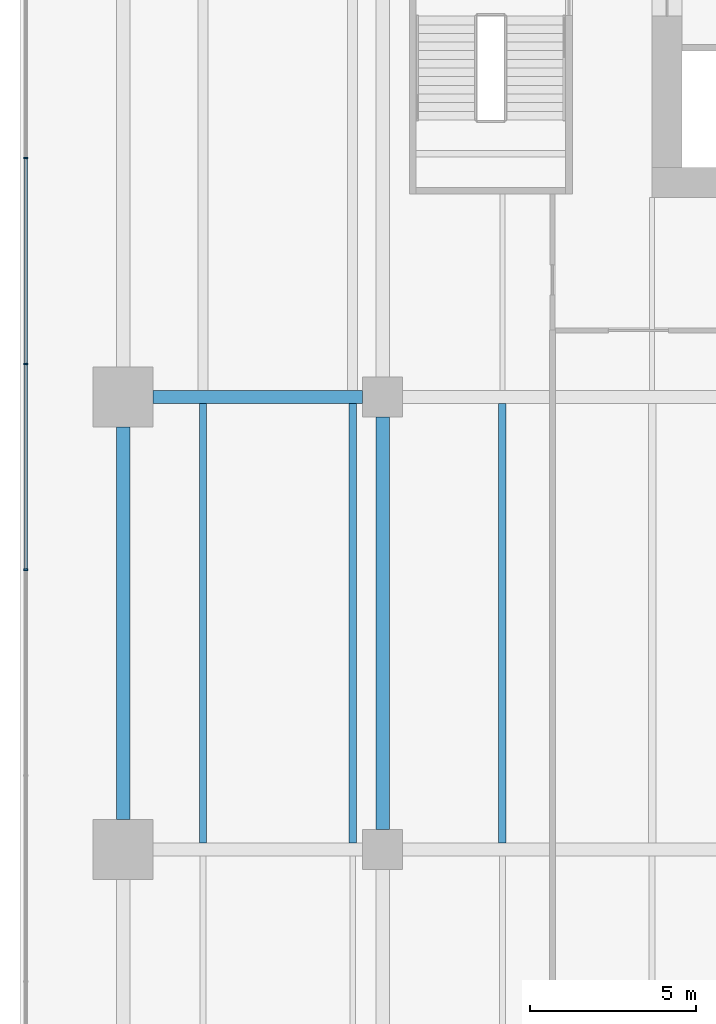
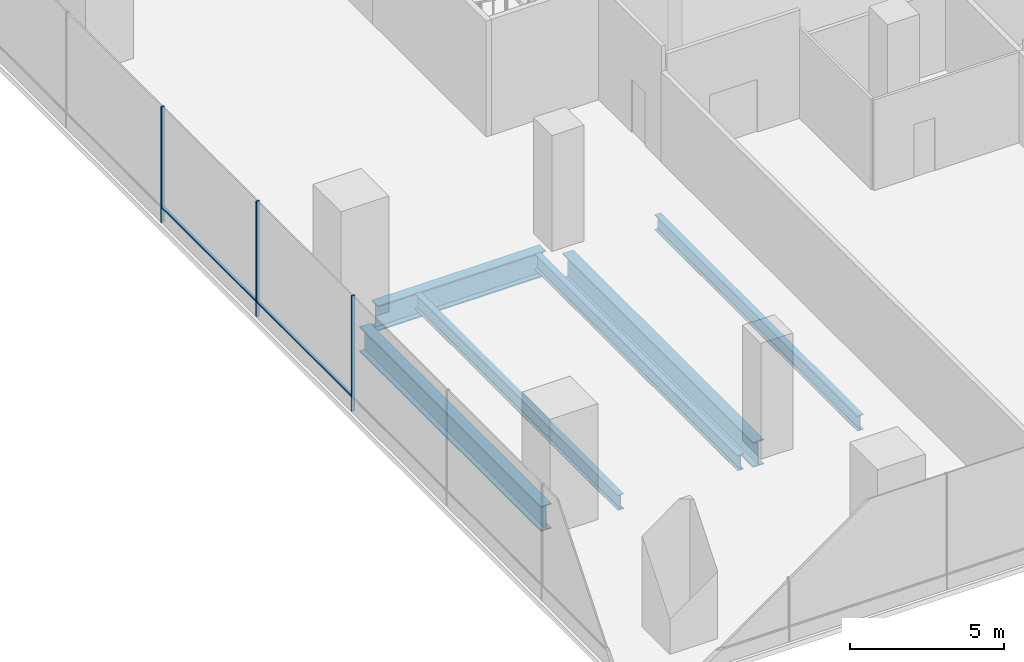
# One storey, part 4 of 29: 6 beams, 5 members, 1 element without a shape of its own.
"""IFC4 building model written with IfcOpenShell, lengths in metres."""

from ifc_helpers import new_model, si_unit, direction, frame, origin, origin_2d, place, context, subcontext, project, spatial, rectangle, i_section, extrude, material, layer, layer_set, material_profile, profile_set, type_object, element, aggregate, save


model = new_model("IFC4")

# Units and contexts
model_context = context("Model", 3, precision=1e-05, world=origin(), true_north=direction((0.0, 1.0)))
body_context = subcontext(model_context, "Body", "Model", "MODEL_VIEW")
ifc_project = project(units=[si_unit("LENGTHUNIT", "METRE"), si_unit("AREAUNIT", "SQUARE_METRE"), si_unit("VOLUMEUNIT", "CUBIC_METRE"), si_unit("PLANEANGLEUNIT", "RADIAN"), si_unit("MASSUNIT", "GRAM", prefix="KILO")], contexts=[model_context])

# Site, building, storey
site_placement = place(None, origin())
site = spatial("IfcSite", under=ifc_project, at=site_placement, CompositionType="ELEMENT")
building_placement = place(site_placement, origin())
building = spatial("IfcBuilding", under=site, at=building_placement, Name="Rattan Terrace Tower", CompositionType="ELEMENT")
storey_placement = place(building_placement, frame((0.0, 0.0, 12.60009765625)))
storey = spatial("IfcBuildingStorey", under=building, at=storey_placement, Name="L02", CompositionType="ELEMENT", Elevation=12.60009765625)

# Beams
ifc_material_1 = material(Name="Steel S355", Category="steel")
ifc_material_profile_1 = material_profile(ifc_material_1, i_section(OverallWidth=0.22412109375, OverallDepth=0.610107421875, WebThickness=0.014892578125, FlangeThickness=0.02392578125, FilletRadius=0.02392578125, at=origin_2d()), Name="IPE O 600")
ifc_profile_set_1 = profile_set([ifc_material_profile_1], Name="Steel S355")
beam_type_1 = type_object("IfcBeamType", Name="Frame floor beam IPE O 600", PredefinedType="JOIST", material=ifc_profile_set_1)
for number, where, z_axis, x_axis, name in (
    (1, (-31.5, -26.89990234375, -0.505126953125), (0.0, 1.0, 0.0), (-1.0, 0.0, 0.0), "bm-L02-015"),
    (2, (-27.0, -26.89990234375, -0.505126953125), (0.0, 1.0, 0.0), (-1.0, 0.0, 0.0), "bm-L02-016"),
    (3, (-22.5, -26.89990234375, -0.505126953125), (0.0, 1.0, 0.0), (-1.0, 0.0, 0.0), "bm-L02-017"),
):
    element("IfcBeam", number, at=place(storey_placement, frame(where, z_axis=z_axis, x_axis=x_axis)), inside=storey, type_object=beam_type_1, Name=name, PredefinedType="JOIST", context=body_context, shape_type="SweptSolid", body=[
        extrude(i_section(OverallWidth=0.22412109375, OverallDepth=0.610107421875, WebThickness=0.014892578125, FlangeThickness=0.02392578125, FilletRadius=0.02392578125, at=origin_2d()), origin(), (0.0, 0.0, 1.0), 13.199951171875),
    ])
ifc_material_2 = material(Name="Steel S460", Category="steel")
ifc_material_profile_2 = material_profile(ifc_material_2, i_section(OverallWidth=0.39990234375, OverallDepth=1.0, WebThickness=0.01806640625, FlangeThickness=0.044921875, at=origin_2d()), Name="PG 1000x400-18-45")
ifc_profile_set_2 = profile_set([ifc_material_profile_2], Name="Steel S460")
beam_type_2 = type_object("IfcBeamType", Name="Frame podium girder PG 1000x400-18-45", PredefinedType="USERDEFINED", material=ifc_profile_set_2)
beam_1_placement = place(storey_placement, frame((-26.10009765625, -26.5, -0.7001953125), z_axis=(0.0, 1.0, 0.0), x_axis=(-1.0, 0.0, 0.0)))
element("IfcBeam", 4, at=beam_1_placement, inside=storey, type_object=beam_type_2, Name="gdr-L02-020", ObjectType="PODIUM GIRDER", PredefinedType="USERDEFINED", context=body_context, shape_type="SweptSolid", body=[
    extrude(i_section(OverallWidth=0.39990234375, OverallDepth=1.0, WebThickness=0.01806640625, FlangeThickness=0.044921875, at=origin_2d()), origin(), (0.0, 0.0, 1.0), 12.39990234375),
])
beam_2_placement = place(storey_placement, frame((-33.89990234375, -26.199951171875, -0.7001953125), z_axis=(0.0, 1.0, 0.0), x_axis=(-1.0, 0.0, 0.0)))
element("IfcBeam", 5, at=beam_2_placement, inside=storey, type_object=beam_type_2, Name="gdr-L02-025", ObjectType="PODIUM GIRDER", PredefinedType="USERDEFINED", context=body_context, shape_type="SweptSolid", body=[
    extrude(i_section(OverallWidth=0.39990234375, OverallDepth=1.0, WebThickness=0.01806640625, FlangeThickness=0.044921875, at=origin_2d()), origin(), (0.0, 0.0, 1.0), 11.800048828125),
])
beam_3_placement = place(storey_placement, frame((-33.0, -13.5, -0.7001953125), z_axis=(1.0, 0.0, 0.0), x_axis=(0.0, 1.0, 0.0)))
element("IfcBeam", 6, at=beam_3_placement, inside=storey, type_object=beam_type_2, Name="gdr-L02-027", ObjectType="PODIUM GIRDER", PredefinedType="USERDEFINED", context=body_context, shape_type="SweptSolid", body=[
    extrude(i_section(OverallWidth=0.39990234375, OverallDepth=1.0, WebThickness=0.01806640625, FlangeThickness=0.044921875, at=origin_2d()), origin(), (0.0, 0.0, 1.0), 6.300048828125),
])

# Curtain wall, members
ifc_material_3 = material(Name="Aluminium and glass", Category="aluminium")
ifc_layer = layer(ifc_material_3, 0.1201171875)
ifc_layer_set = layer_set([ifc_layer], Name="Station Storefront Curtain Wall")
curtain_wall_type = type_object("IfcCurtainWallType", Name="Station Storefront Curtain Wall", PredefinedType="NOTDEFINED", material=ifc_layer_set)
curtain_wall_placement = place(storey_placement, origin())
curtain_wall = element("IfcCurtainWall", 7, at=curtain_wall_placement, inside=storey, type_object=curtain_wall_type, Name="Storefront curtain wall L02-3", PredefinedType="NOTDEFINED")
ifc_material_4 = material(Name="Aluminium", Category="aluminium")
ifc_material_profile_3 = material_profile(ifc_material_4, rectangle(XDim=0.050048828125, YDim=0.1201171875, at=origin_2d()), Name="Aluminium 50x120")
ifc_profile_set_3 = profile_set([ifc_material_profile_3], Name="Aluminium")
member_type_1 = type_object("IfcMemberType", Name="Storefront CW Mullion 50x120", PredefinedType="MULLION", material=ifc_profile_set_3)
member_1_placement = place(storey_placement, frame((-36.830078125, -6.31396484375, 0.0), z_axis=(0.0, 0.0, 1.0), x_axis=(0.0, -1.0, 0.0)))
member_1 = element("IfcMember", 8, at=member_1_placement, type_object=member_type_1, Name="Mullion cwl-L02-003.4", PredefinedType="MULLION", context=body_context, shape_type="SweptSolid", body=[
    extrude(rectangle(XDim=0.050048828125, YDim=0.1201171875, at=origin_2d()), origin(), (0.0, 0.0, 1.0), 4.599853515625),
])
member_2_placement = place(storey_placement, frame((-36.830078125, -12.501953125, 0.0), z_axis=(0.0, 0.0, 1.0), x_axis=(0.0, -1.0, 0.0)))
member_2 = element("IfcMember", 9, at=member_2_placement, type_object=member_type_1, Name="Mullion cwl-L02-003.5", PredefinedType="MULLION", context=body_context, shape_type="SweptSolid", body=[
    extrude(rectangle(XDim=0.050048828125, YDim=0.1201171875, at=origin_2d()), origin(), (0.0, 0.0, 1.0), 4.599853515625),
])
member_3_placement = place(storey_placement, frame((-36.830078125, -18.68994140625, 0.0), z_axis=(0.0, 0.0, 1.0), x_axis=(0.0, -1.0, 0.0)))
member_3 = element("IfcMember", 10, at=member_3_placement, type_object=member_type_1, Name="Mullion cwl-L02-003.6", PredefinedType="MULLION", context=body_context, shape_type="SweptSolid", body=[
    extrude(rectangle(XDim=0.050048828125, YDim=0.1201171875, at=origin_2d()), origin(), (0.0, 0.0, 1.0), 4.599853515625),
])
ifc_material_5 = material(Name="Aluminium", Category="aluminium")
ifc_material_profile_4 = material_profile(ifc_material_5, rectangle(XDim=0.10009765625, YDim=0.050048828125, at=origin_2d()), Name="Aluminium 100x50")
ifc_profile_set_4 = profile_set([ifc_material_profile_4], Name="Aluminium")
member_type_2 = type_object("IfcMemberType", Name="Storefront CW Transom 100x50", PredefinedType="USERDEFINED", material=ifc_profile_set_4)
member_4_placement = place(storey_placement, frame((-36.830078125, -6.339111328125, 0.599853515625), z_axis=(0.0, -1.0, 0.0), x_axis=(1.0, 0.0, 0.0)))
member_4 = element("IfcMember", 11, at=member_4_placement, type_object=member_type_2, Name="Transom cwl-L02-003.4", ObjectType="TRANSOM", PredefinedType="USERDEFINED", context=body_context, shape_type="SweptSolid", body=[
    extrude(rectangle(XDim=0.10009765625, YDim=0.050048828125, at=origin_2d()), origin(), (0.0, 0.0, 1.0), 6.137939453125),
])
member_5_placement = place(storey_placement, frame((-36.830078125, -12.527099609375, 0.599853515625), z_axis=(0.0, -1.0, 0.0), x_axis=(1.0, 0.0, 0.0)))
member_5 = element("IfcMember", 12, at=member_5_placement, type_object=member_type_2, Name="Transom cwl-L02-003.5", ObjectType="TRANSOM", PredefinedType="USERDEFINED", context=body_context, shape_type="SweptSolid", body=[
    extrude(rectangle(XDim=0.10009765625, YDim=0.050048828125, at=origin_2d()), origin(), (0.0, 0.0, 1.0), 6.137939453125),
])
aggregate(curtain_wall, [member_1, member_2, member_3, member_4, member_5])

save(model, "model.ifc")
